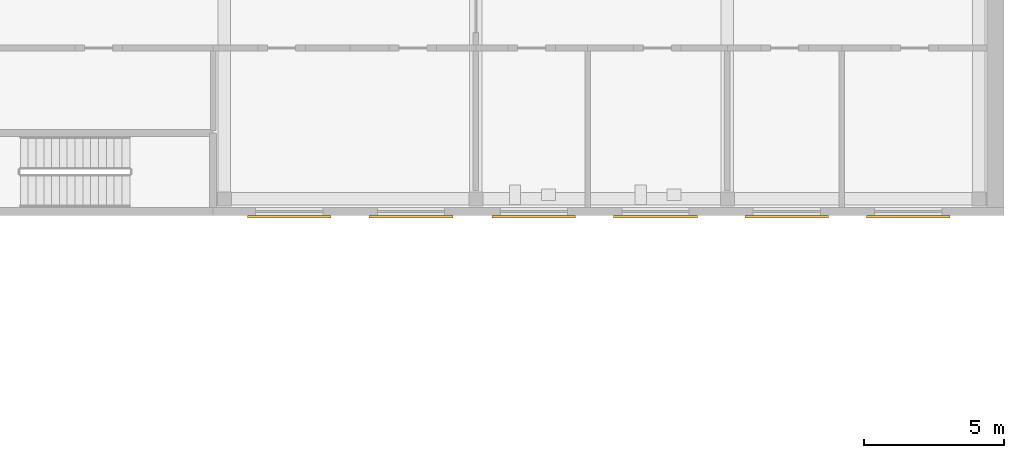
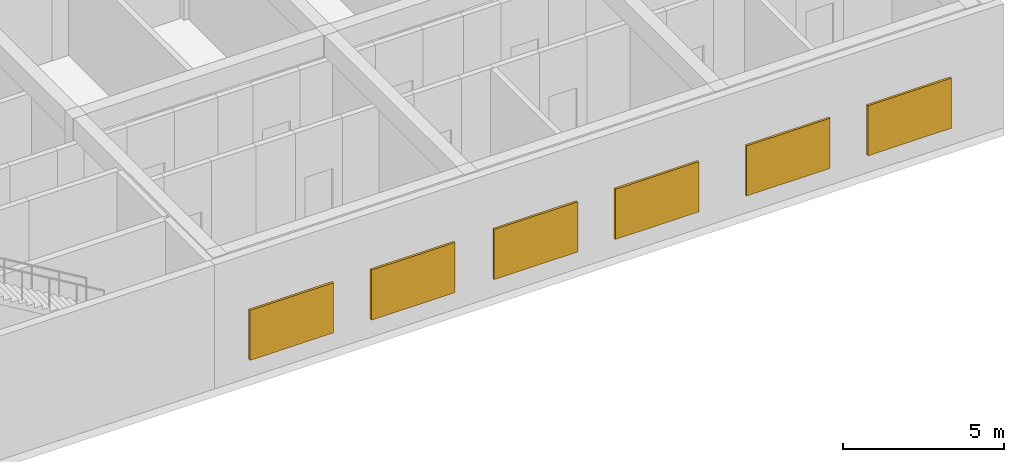
# One storey, part 22 of 24: 6 shading devices.
"""IFC4 building model written with IfcOpenShell, lengths in metres."""

from ifc_helpers import new_model, si_unit, direction, frame, origin, origin_2d, place, context, subcontext, project, spatial, rectangle, extrude, material, layer, layer_set, type_object, element, save


model = new_model("IFC4")

# Units and contexts
model_context = context("Model", 3, precision=1e-05, world=origin(), true_north=direction((0.0, 1.0)))
body_context = subcontext(model_context, "Body", "Model", "MODEL_VIEW")
ifc_project = project(units=[si_unit("LENGTHUNIT", "METRE"), si_unit("AREAUNIT", "SQUARE_METRE"), si_unit("VOLUMEUNIT", "CUBIC_METRE"), si_unit("PLANEANGLEUNIT", "RADIAN"), si_unit("MASSUNIT", "GRAM", prefix="KILO")], contexts=[model_context])

# Site, building, storey
site_placement = place(None, origin())
site = spatial("IfcSite", under=ifc_project, at=site_placement, CompositionType="ELEMENT")
building_placement = place(site_placement, origin())
building = spatial("IfcBuilding", under=site, at=building_placement, Name="Girih Gate Residences", CompositionType="ELEMENT")
storey_placement = place(building_placement, frame((0.0, 0.0, 16.0)))
storey = spatial("IfcBuildingStorey", under=building, at=storey_placement, Name="L03", CompositionType="ELEMENT", Elevation=16.0)

# Shading devices
ifc_material = material(Name="Precast concrete C50/60", Category="concrete")
ifc_layer = layer(ifc_material, 0.080078125)
ifc_layer_set = layer_set([ifc_layer], Name="HC Panjara screen")
shading_device_type = type_object("IfcShadingDeviceType", Name="HC Panjara screen", PredefinedType="USERDEFINED", material=ifc_layer_set)
for number, where, z_axis, x_axis, name in (
    (1, (64.77490234375, 8.9599609375, 0.699951171875), (0.0, 0.0, 1.0), (1.0, 0.0, 0.0), "L03 panjara screen 1"),
    (2, (69.125, 8.9599609375, 0.699951171875), (0.0, 0.0, 1.0), (1.0, 0.0, 0.0), "L03 panjara screen 2"),
    (3, (73.52490234375, 8.9599609375, 0.699951171875), (0.0, 0.0, 1.0), (1.0, 0.0, 0.0), "L03 panjara screen 3"),
    (4, (77.875, 8.9599609375, 0.699951171875), (0.0, 0.0, 1.0), (1.0, 0.0, 0.0), "L03 panjara screen 4"),
    (5, (82.574951171875, 8.9599609375, 0.699951171875), (0.0, 0.0, 1.0), (1.0, 0.0, 0.0), "L03 panjara screen 5"),
    (6, (86.925048828125, 8.9599609375, 0.699951171875), (0.0, 0.0, 1.0), (1.0, 0.0, 0.0), "L03 panjara screen 6"),
):
    element("IfcShadingDevice", number, at=place(storey_placement, frame(where, z_axis=z_axis, x_axis=x_axis)), inside=storey, type_object=shading_device_type, Name=name, ObjectType="SCREEN", PredefinedType="USERDEFINED", context=body_context, shape_type="SweptSolid", body=[
        extrude(rectangle(XDim=3.0, YDim=0.080078125, at=origin_2d()), origin(), (0.0, 0.0, 1.0), 1.89990234375),
    ])

save(model, "model.ifc")
